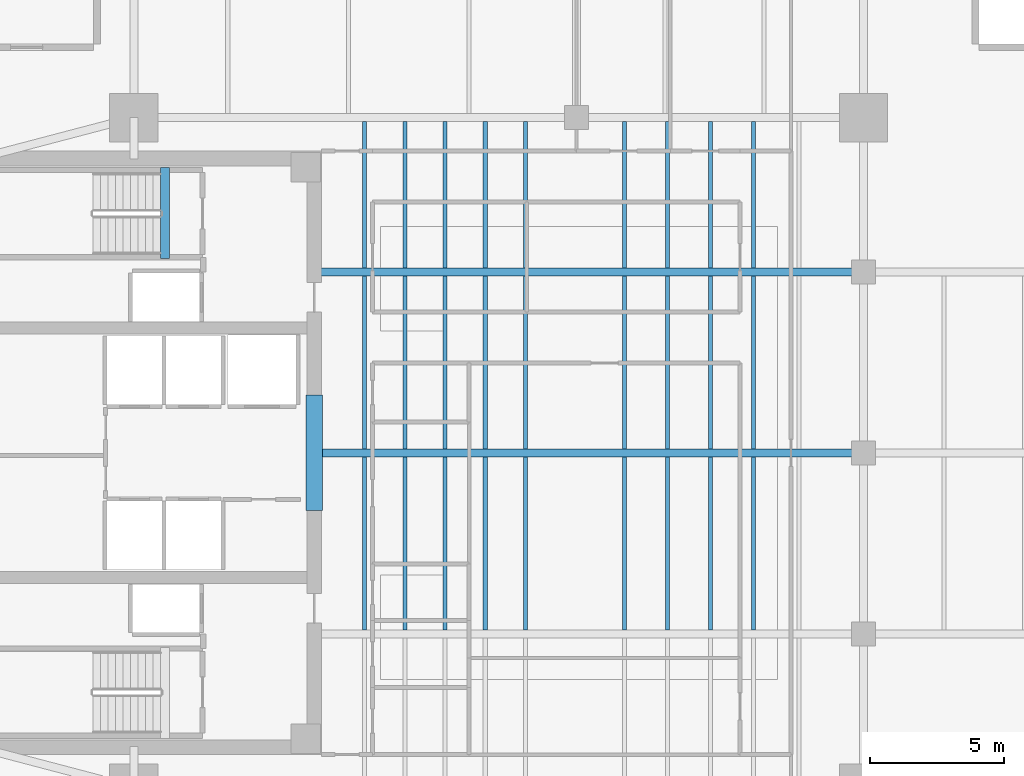
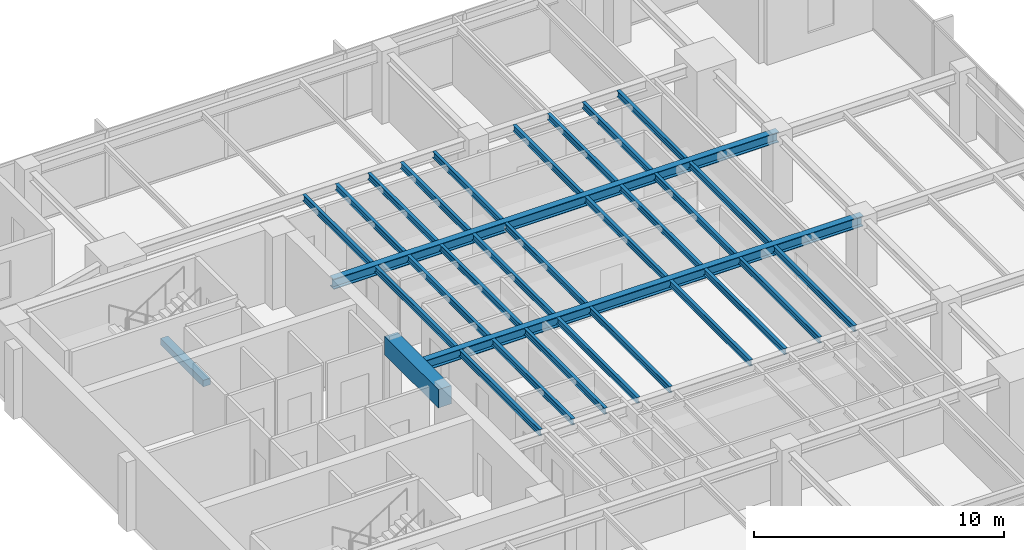
# One storey, part 3 of 15: 31 beams.
"""IFC4 building model written with IfcOpenShell, lengths in metres."""

from ifc_helpers import new_model, si_unit, direction, frame, origin, origin_2d, place, context, subcontext, project, spatial, rectangle, i_section, extrude, material, material_profile, profile_set, type_object, element, save


model = new_model("IFC4")

# Units and contexts
model_context = context("Model", 3, precision=1e-05, world=origin(), true_north=direction((0.0, 1.0)))
body_context = subcontext(model_context, "Body", "Model", "MODEL_VIEW")
ifc_project = project(units=[si_unit("LENGTHUNIT", "METRE"), si_unit("AREAUNIT", "SQUARE_METRE"), si_unit("VOLUMEUNIT", "CUBIC_METRE"), si_unit("PLANEANGLEUNIT", "RADIAN"), si_unit("MASSUNIT", "GRAM", prefix="KILO")], contexts=[model_context])

# Site, building, storey
site_placement = place(None, origin())
site = spatial("IfcSite", under=ifc_project, at=site_placement, CompositionType="ELEMENT")
building_placement = place(site_placement, origin())
building = spatial("IfcBuilding", under=site, at=building_placement, Name="Kinhvarn Gate Tower", CompositionType="ELEMENT")
storey_placement = place(building_placement, frame((0.0, 0.0, 237.75)))
storey = spatial("IfcBuildingStorey", under=building, at=storey_placement, Name="L63", CompositionType="ELEMENT", Elevation=237.75)

# Beams
ifc_material_1 = material(Name="Concrete C60/75", Category="concrete")
ifc_material_profile_1 = material_profile(ifc_material_1, rectangle(XDim=0.60009765625, YDim=0.89990234375, at=origin_2d()), Name="RC 600x900")
ifc_profile_set_1 = profile_set([ifc_material_profile_1], Name="Concrete C60/75")
beam_type_1 = type_object("IfcBeamType", Name="BM-CB-900", PredefinedType="LINTEL", material=ifc_profile_set_1)
beam_1_placement = place(storey_placement, frame((17.72509765625, 23.10009765625, 2.89990234375), z_axis=(0.0, 1.0, 0.0), x_axis=(-1.0, 0.0, 0.0)))
element("IfcBeam", 1, at=beam_1_placement, inside=storey, type_object=beam_type_1, Name="Core East Portal Coupling Beam L63", PredefinedType="LINTEL", context=body_context, shape_type="SweptSolid", body=[
    extrude(rectangle(XDim=0.60009765625, YDim=0.89990234375, at=origin_2d()), origin(), (0.0, 0.0, 1.0), 4.2998046875),
])
ifc_material_2 = material(Name="Concrete C50/60", Category="concrete")
ifc_material_profile_2 = material_profile(ifc_material_2, rectangle(XDim=0.340087890625, YDim=0.320068359375, at=origin_2d()), Name="RC 340x320")
ifc_profile_set_2 = profile_set([ifc_material_profile_2], Name="Concrete C50/60")
beam_type_2 = type_object("IfcBeamType", Name="BM-LND-500", PredefinedType="BEAM", material=ifc_profile_set_2)
beam_2_placement = place(storey_placement, frame((12.1650390625, 32.5, -0.159912109375), z_axis=(0.0, 1.0, 0.0), x_axis=(-1.0, 0.0, 0.0)))
element("IfcBeam", 2, at=beam_2_placement, inside=storey, type_object=beam_type_2, Name="Stair ST2 Landing Nosing Beam (L63)", PredefinedType="BEAM", context=body_context, shape_type="SweptSolid", body=[
    extrude(rectangle(XDim=0.340087890625, YDim=0.320068359375, at=origin_2d()), origin(), (0.0, 0.0, 1.0), 3.39990234375),
])
ifc_material_3 = material(Name="Steel S355", Category="steel")
ifc_material_profile_3 = material_profile(ifc_material_3, i_section(OverallWidth=0.300048828125, OverallDepth=0.5, WebThickness=0.014404296875, FlangeThickness=0.028076171875, at=origin_2d()), Name="HEB 500")
ifc_profile_set_3 = profile_set([ifc_material_profile_3], Name="Steel S355")
beam_type_3 = type_object("IfcBeamType", Name="STL-HEB500", PredefinedType="BEAM", material=ifc_profile_set_3)
beam_3_placement = place(storey_placement, frame((18.02490234375, 25.25, 3.10009765625), z_axis=(1.0, 0.0, 0.0), x_axis=(0.0, 1.0, 0.0)))
element("IfcBeam", 3, at=beam_3_placement, inside=storey, type_object=beam_type_3, Name="Floor Beam PG-14 (L63 EW1-Y25)", PredefinedType="BEAM", context=body_context, shape_type="SweptSolid", body=[
    extrude(i_section(OverallWidth=0.300048828125, OverallDepth=0.5, WebThickness=0.014404296875, FlangeThickness=0.028076171875, at=origin_2d()), origin(), (0.0, 0.0, 1.0), 20.175048828125),
])
beam_4_placement = place(storey_placement, frame((17.64990234375, 32.0, 3.10009765625), z_axis=(1.0, 0.0, 0.0), x_axis=(0.0, 1.0, 0.0)))
element("IfcBeam", 4, at=beam_4_placement, inside=storey, type_object=beam_type_3, Name="Floor Beam PG-14 (L63 EW1-Y32)", PredefinedType="BEAM", context=body_context, shape_type="SweptSolid", body=[
    extrude(i_section(OverallWidth=0.300048828125, OverallDepth=0.5, WebThickness=0.014404296875, FlangeThickness=0.028076171875, at=origin_2d()), origin(), (0.0, 0.0, 1.0), 20.550048828125),
])
ifc_material_profile_4 = material_profile(ifc_material_3, i_section(OverallWidth=0.14990234375, OverallDepth=0.300048828125, WebThickness=0.007080078125, FlangeThickness=0.0107421875, at=origin_2d()), Name="IPE 300")
ifc_profile_set_4 = profile_set([ifc_material_profile_4], Name="Steel S355")
beam_type_4 = type_object("IfcBeamType", Name="STL-IPE300", PredefinedType="JOIST", material=ifc_profile_set_4)
for number, where, z_axis, x_axis, name in (
    (5, (19.60009765625, 18.64990234375, 3.199951171875), (0.0, 1.0, 0.0), (-1.0, 0.0, 0.0), "Floor Joist SB-02 (L63 JC-X196-1)"),
    (6, (19.60009765625, 25.39990234375, 3.199951171875), (0.0, 1.0, 0.0), (-1.0, 0.0, 0.0), "Floor Joist SB-02 (L63 JC-X196-2)"),
):
    element("IfcBeam", number, at=place(storey_placement, frame(where, z_axis=z_axis, x_axis=x_axis)), inside=storey, type_object=beam_type_4, Name=name, PredefinedType="JOIST", context=body_context, shape_type="SweptSolid", body=[
        extrude(i_section(OverallWidth=0.14990234375, OverallDepth=0.300048828125, WebThickness=0.007080078125, FlangeThickness=0.0107421875, at=origin_2d()), origin(), (0.0, 0.0, 1.0), 6.4501953125),
    ])
beam_5_placement = place(storey_placement, frame((19.60009765625, 32.14990234375, 3.199951171875), z_axis=(0.0, 1.0, 0.0), x_axis=(-1.0, 0.0, 0.0)))
element("IfcBeam", 7, at=beam_5_placement, inside=storey, type_object=beam_type_4, Name="Floor Joist SB-02 (L63 JC-X196-3)", PredefinedType="JOIST", context=body_context, shape_type="SweptSolid", body=[
    extrude(i_section(OverallWidth=0.14990234375, OverallDepth=0.300048828125, WebThickness=0.007080078125, FlangeThickness=0.0107421875, at=origin_2d()), origin(), (0.0, 0.0, 1.0), 5.4501953125),
])
for number, where, z_axis, x_axis, name in (
    (8, (21.10009765625, 18.64990234375, 3.199951171875), (0.0, 1.0, 0.0), (-1.0, 0.0, 0.0), "Floor Joist SB-02 (L63 JC-X211-1)"),
    (9, (21.10009765625, 25.39990234375, 3.199951171875), (0.0, 1.0, 0.0), (-1.0, 0.0, 0.0), "Floor Joist SB-02 (L63 JC-X211-2)"),
):
    element("IfcBeam", number, at=place(storey_placement, frame(where, z_axis=z_axis, x_axis=x_axis)), inside=storey, type_object=beam_type_4, Name=name, PredefinedType="JOIST", context=body_context, shape_type="SweptSolid", body=[
        extrude(i_section(OverallWidth=0.14990234375, OverallDepth=0.300048828125, WebThickness=0.007080078125, FlangeThickness=0.0107421875, at=origin_2d()), origin(), (0.0, 0.0, 1.0), 6.4501953125),
    ])
beam_6_placement = place(storey_placement, frame((21.10009765625, 32.14990234375, 3.199951171875), z_axis=(0.0, 1.0, 0.0), x_axis=(-1.0, 0.0, 0.0)))
element("IfcBeam", 10, at=beam_6_placement, inside=storey, type_object=beam_type_4, Name="Floor Joist SB-02 (L63 JC-X211-3)", PredefinedType="JOIST", context=body_context, shape_type="SweptSolid", body=[
    extrude(i_section(OverallWidth=0.14990234375, OverallDepth=0.300048828125, WebThickness=0.007080078125, FlangeThickness=0.0107421875, at=origin_2d()), origin(), (0.0, 0.0, 1.0), 5.4501953125),
])
for number, where, z_axis, x_axis, name in (
    (11, (22.60009765625, 18.64990234375, 3.199951171875), (0.0, 1.0, 0.0), (-1.0, 0.0, 0.0), "Floor Joist SB-02 (L63 JC-X226-1)"),
    (12, (22.60009765625, 25.39990234375, 3.199951171875), (0.0, 1.0, 0.0), (-1.0, 0.0, 0.0), "Floor Joist SB-02 (L63 JC-X226-2)"),
):
    element("IfcBeam", number, at=place(storey_placement, frame(where, z_axis=z_axis, x_axis=x_axis)), inside=storey, type_object=beam_type_4, Name=name, PredefinedType="JOIST", context=body_context, shape_type="SweptSolid", body=[
        extrude(i_section(OverallWidth=0.14990234375, OverallDepth=0.300048828125, WebThickness=0.007080078125, FlangeThickness=0.0107421875, at=origin_2d()), origin(), (0.0, 0.0, 1.0), 6.4501953125),
    ])
beam_7_placement = place(storey_placement, frame((22.60009765625, 32.14990234375, 3.199951171875), z_axis=(0.0, 1.0, 0.0), x_axis=(-1.0, 0.0, 0.0)))
element("IfcBeam", 13, at=beam_7_placement, inside=storey, type_object=beam_type_4, Name="Floor Joist SB-02 (L63 JC-X226-3)", PredefinedType="JOIST", context=body_context, shape_type="SweptSolid", body=[
    extrude(i_section(OverallWidth=0.14990234375, OverallDepth=0.300048828125, WebThickness=0.007080078125, FlangeThickness=0.0107421875, at=origin_2d()), origin(), (0.0, 0.0, 1.0), 5.4501953125),
])
for number, where, z_axis, x_axis, name in (
    (14, (24.10009765625, 18.64990234375, 3.199951171875), (0.0, 1.0, 0.0), (-1.0, 0.0, 0.0), "Floor Joist SB-02 (L63 JC-X241-1)"),
    (15, (24.10009765625, 25.39990234375, 3.199951171875), (0.0, 1.0, 0.0), (-1.0, 0.0, 0.0), "Floor Joist SB-02 (L63 JC-X241-2)"),
):
    element("IfcBeam", number, at=place(storey_placement, frame(where, z_axis=z_axis, x_axis=x_axis)), inside=storey, type_object=beam_type_4, Name=name, PredefinedType="JOIST", context=body_context, shape_type="SweptSolid", body=[
        extrude(i_section(OverallWidth=0.14990234375, OverallDepth=0.300048828125, WebThickness=0.007080078125, FlangeThickness=0.0107421875, at=origin_2d()), origin(), (0.0, 0.0, 1.0), 6.4501953125),
    ])
beam_8_placement = place(storey_placement, frame((24.10009765625, 32.14990234375, 3.199951171875), z_axis=(0.0, 1.0, 0.0), x_axis=(-1.0, 0.0, 0.0)))
element("IfcBeam", 16, at=beam_8_placement, inside=storey, type_object=beam_type_4, Name="Floor Joist SB-02 (L63 JC-X241-3)", PredefinedType="JOIST", context=body_context, shape_type="SweptSolid", body=[
    extrude(i_section(OverallWidth=0.14990234375, OverallDepth=0.300048828125, WebThickness=0.007080078125, FlangeThickness=0.0107421875, at=origin_2d()), origin(), (0.0, 0.0, 1.0), 5.4501953125),
])
for number, where, z_axis, x_axis, name in (
    (17, (25.60009765625, 18.64990234375, 3.199951171875), (0.0, 1.0, 0.0), (-1.0, 0.0, 0.0), "Floor Joist SB-02 (L63 JC-X256-1)"),
    (18, (25.60009765625, 25.39990234375, 3.199951171875), (0.0, 1.0, 0.0), (-1.0, 0.0, 0.0), "Floor Joist SB-02 (L63 JC-X256-2)"),
):
    element("IfcBeam", number, at=place(storey_placement, frame(where, z_axis=z_axis, x_axis=x_axis)), inside=storey, type_object=beam_type_4, Name=name, PredefinedType="JOIST", context=body_context, shape_type="SweptSolid", body=[
        extrude(i_section(OverallWidth=0.14990234375, OverallDepth=0.300048828125, WebThickness=0.007080078125, FlangeThickness=0.0107421875, at=origin_2d()), origin(), (0.0, 0.0, 1.0), 6.4501953125),
    ])
beam_9_placement = place(storey_placement, frame((25.60009765625, 32.14990234375, 3.199951171875), z_axis=(0.0, 1.0, 0.0), x_axis=(-1.0, 0.0, 0.0)))
element("IfcBeam", 19, at=beam_9_placement, inside=storey, type_object=beam_type_4, Name="Floor Joist SB-02 (L63 JC-X256-3)", PredefinedType="JOIST", context=body_context, shape_type="SweptSolid", body=[
    extrude(i_section(OverallWidth=0.14990234375, OverallDepth=0.300048828125, WebThickness=0.007080078125, FlangeThickness=0.0107421875, at=origin_2d()), origin(), (0.0, 0.0, 1.0), 5.4501953125),
])
for number, where, z_axis, x_axis, name in (
    (20, (29.300048828125, 18.64990234375, 3.199951171875), (0.0, 1.0, 0.0), (-1.0, 0.0, 0.0), "Floor Joist SB-02 (L63 JC-X293-1)"),
    (21, (29.300048828125, 25.39990234375, 3.199951171875), (0.0, 1.0, 0.0), (-1.0, 0.0, 0.0), "Floor Joist SB-02 (L63 JC-X293-2)"),
):
    element("IfcBeam", number, at=place(storey_placement, frame(where, z_axis=z_axis, x_axis=x_axis)), inside=storey, type_object=beam_type_4, Name=name, PredefinedType="JOIST", context=body_context, shape_type="SweptSolid", body=[
        extrude(i_section(OverallWidth=0.14990234375, OverallDepth=0.300048828125, WebThickness=0.007080078125, FlangeThickness=0.0107421875, at=origin_2d()), origin(), (0.0, 0.0, 1.0), 6.4501953125),
    ])
beam_10_placement = place(storey_placement, frame((29.300048828125, 32.14990234375, 3.199951171875), z_axis=(0.0, 1.0, 0.0), x_axis=(-1.0, 0.0, 0.0)))
element("IfcBeam", 22, at=beam_10_placement, inside=storey, type_object=beam_type_4, Name="Floor Joist SB-02 (L63 JC-X293-3)", PredefinedType="JOIST", context=body_context, shape_type="SweptSolid", body=[
    extrude(i_section(OverallWidth=0.14990234375, OverallDepth=0.300048828125, WebThickness=0.007080078125, FlangeThickness=0.0107421875, at=origin_2d()), origin(), (0.0, 0.0, 1.0), 5.4501953125),
])
for number, where, z_axis, x_axis, name in (
    (23, (30.89990234375, 18.64990234375, 3.199951171875), (0.0, 1.0, 0.0), (-1.0, 0.0, 0.0), "Floor Joist SB-02 (L63 JC-X309-1)"),
    (24, (30.89990234375, 25.39990234375, 3.199951171875), (0.0, 1.0, 0.0), (-1.0, 0.0, 0.0), "Floor Joist SB-02 (L63 JC-X309-2)"),
):
    element("IfcBeam", number, at=place(storey_placement, frame(where, z_axis=z_axis, x_axis=x_axis)), inside=storey, type_object=beam_type_4, Name=name, PredefinedType="JOIST", context=body_context, shape_type="SweptSolid", body=[
        extrude(i_section(OverallWidth=0.14990234375, OverallDepth=0.300048828125, WebThickness=0.007080078125, FlangeThickness=0.0107421875, at=origin_2d()), origin(), (0.0, 0.0, 1.0), 6.4501953125),
    ])
beam_11_placement = place(storey_placement, frame((30.89990234375, 32.14990234375, 3.199951171875), z_axis=(0.0, 1.0, 0.0), x_axis=(-1.0, 0.0, 0.0)))
element("IfcBeam", 25, at=beam_11_placement, inside=storey, type_object=beam_type_4, Name="Floor Joist SB-02 (L63 JC-X309-3)", PredefinedType="JOIST", context=body_context, shape_type="SweptSolid", body=[
    extrude(i_section(OverallWidth=0.14990234375, OverallDepth=0.300048828125, WebThickness=0.007080078125, FlangeThickness=0.0107421875, at=origin_2d()), origin(), (0.0, 0.0, 1.0), 5.4501953125),
])
for number, where, z_axis, x_axis, name in (
    (26, (32.5, 18.64990234375, 3.199951171875), (0.0, 1.0, 0.0), (-1.0, 0.0, 0.0), "Floor Joist SB-02 (L63 JC-X325-1)"),
    (27, (32.5, 25.39990234375, 3.199951171875), (0.0, 1.0, 0.0), (-1.0, 0.0, 0.0), "Floor Joist SB-02 (L63 JC-X325-2)"),
):
    element("IfcBeam", number, at=place(storey_placement, frame(where, z_axis=z_axis, x_axis=x_axis)), inside=storey, type_object=beam_type_4, Name=name, PredefinedType="JOIST", context=body_context, shape_type="SweptSolid", body=[
        extrude(i_section(OverallWidth=0.14990234375, OverallDepth=0.300048828125, WebThickness=0.007080078125, FlangeThickness=0.0107421875, at=origin_2d()), origin(), (0.0, 0.0, 1.0), 6.4501953125),
    ])
beam_12_placement = place(storey_placement, frame((32.5, 32.14990234375, 3.199951171875), z_axis=(0.0, 1.0, 0.0), x_axis=(-1.0, 0.0, 0.0)))
element("IfcBeam", 28, at=beam_12_placement, inside=storey, type_object=beam_type_4, Name="Floor Joist SB-02 (L63 JC-X325-3)", PredefinedType="JOIST", context=body_context, shape_type="SweptSolid", body=[
    extrude(i_section(OverallWidth=0.14990234375, OverallDepth=0.300048828125, WebThickness=0.007080078125, FlangeThickness=0.0107421875, at=origin_2d()), origin(), (0.0, 0.0, 1.0), 5.4501953125),
])
for number, where, z_axis, x_axis, name in (
    (29, (34.10009765625, 18.64990234375, 3.199951171875), (0.0, 1.0, 0.0), (-1.0, 0.0, 0.0), "Floor Joist SB-02 (L63 JC-X341-1)"),
    (30, (34.10009765625, 25.39990234375, 3.199951171875), (0.0, 1.0, 0.0), (-1.0, 0.0, 0.0), "Floor Joist SB-02 (L63 JC-X341-2)"),
):
    element("IfcBeam", number, at=place(storey_placement, frame(where, z_axis=z_axis, x_axis=x_axis)), inside=storey, type_object=beam_type_4, Name=name, PredefinedType="JOIST", context=body_context, shape_type="SweptSolid", body=[
        extrude(i_section(OverallWidth=0.14990234375, OverallDepth=0.300048828125, WebThickness=0.007080078125, FlangeThickness=0.0107421875, at=origin_2d()), origin(), (0.0, 0.0, 1.0), 6.4501953125),
    ])
beam_13_placement = place(storey_placement, frame((34.10009765625, 32.14990234375, 3.199951171875), z_axis=(0.0, 1.0, 0.0), x_axis=(-1.0, 0.0, 0.0)))
element("IfcBeam", 31, at=beam_13_placement, inside=storey, type_object=beam_type_4, Name="Floor Joist SB-02 (L63 JC-X341-3)", PredefinedType="JOIST", context=body_context, shape_type="SweptSolid", body=[
    extrude(i_section(OverallWidth=0.14990234375, OverallDepth=0.300048828125, WebThickness=0.007080078125, FlangeThickness=0.0107421875, at=origin_2d()), origin(), (0.0, 0.0, 1.0), 5.4501953125),
])

save(model, "model.ifc")
